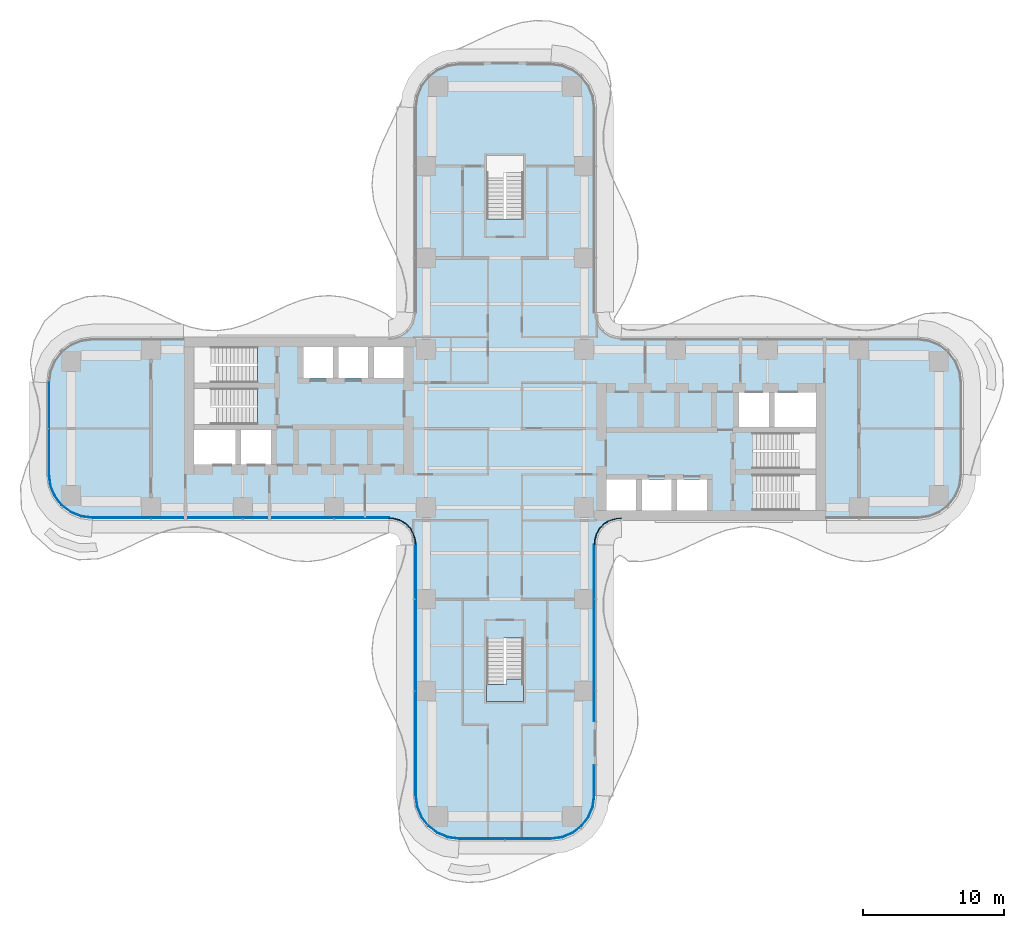
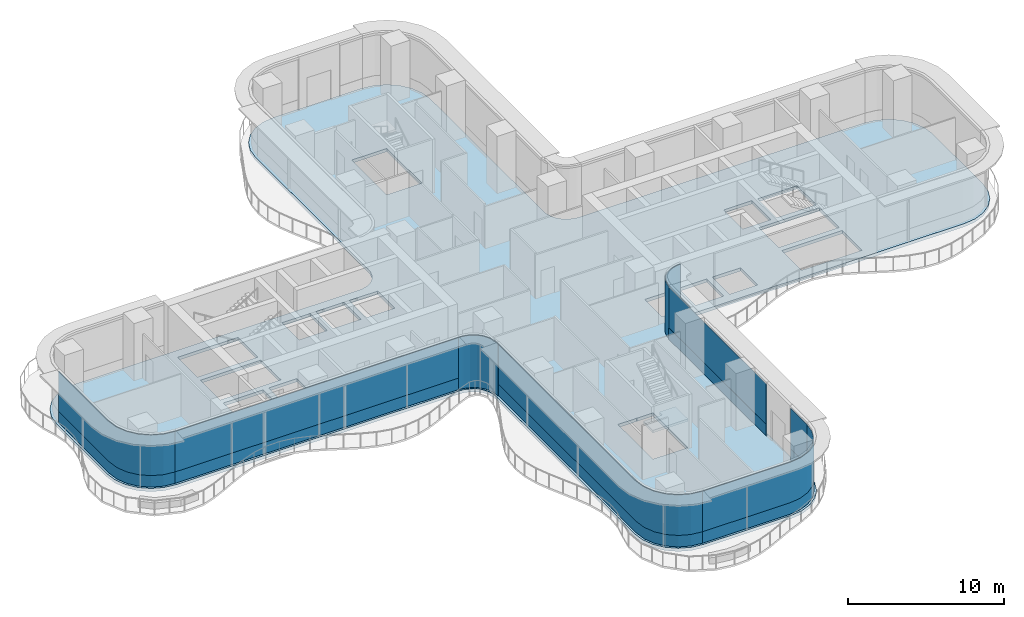
# One storey, part 14 of 22: 14 plates, 2 slabs, 9 elements without a shape of their own.
"""IFC4 building model written with IfcOpenShell, lengths in metres."""

from ifc_helpers import new_model, si_unit, direction, frame, origin, place, context, subcontext, project, spatial, polyline, outline, extrude, source, transform, mapped, material, layer, layer_set, type_object, element, aggregate, save


model = new_model("IFC4")

# Units and contexts
model_context = context("Model", 3, precision=1e-05, world=origin(), true_north=direction((0.0, 1.0)))
body_context = subcontext(model_context, "Body", "Model", "MODEL_VIEW")
ifc_project = project(units=[si_unit("LENGTHUNIT", "METRE"), si_unit("AREAUNIT", "SQUARE_METRE"), si_unit("VOLUMEUNIT", "CUBIC_METRE"), si_unit("PLANEANGLEUNIT", "RADIAN"), si_unit("MASSUNIT", "GRAM", prefix="KILO")], contexts=[model_context])

# Site, building, storey
site_placement = place(None, origin())
site = spatial("IfcSite", under=ifc_project, at=site_placement, CompositionType="ELEMENT")
building_placement = place(site_placement, origin())
building = spatial("IfcBuilding", under=site, at=building_placement, Name="Trellis Farm Tower", CompositionType="ELEMENT")
storey_placement = place(building_placement, frame((0.0, 0.0, 70.0)))
storey = spatial("IfcBuildingStorey", under=building, at=storey_placement, Name="L14", CompositionType="ELEMENT", Elevation=70.0)

# Slab
ifc_material_1 = material(Name="Concrete C40/50", Category="concrete")
ifc_layer_1 = layer(ifc_material_1, 0.25)
ifc_layer_set_1 = layer_set([ifc_layer_1], Name="Composite deck floor slab 250")
slab_type_1 = type_object("IfcSlabType", Name="Composite deck floor slab 250", PredefinedType="FLOOR", material=ifc_layer_set_1)
shared_shape_1 = source(origin(), body_context, "Body", "SweptSolid", [
    extrude(outline(polyline([(-30.09130859375, -6.389404296875), (-30.875, -6.064697265625), (-31.548095703125, -5.548095703125), (-32.064697265625, -4.875), (-32.389404296875, -4.09130859375), (-32.5, -3.25), (-32.5, 3.25), (-32.389404296875, 4.09130859375), (-32.064697265625, 4.875), (-31.548095703125, 5.548095703125), (-30.875, 6.064697265625), (-30.09130859375, 6.389404296875), (-29.25, 6.5), (-8.2314453125, 6.5), (-8.01953125, 6.513916015625), (-7.91552734375, 6.527587890625), (-7.508544921875, 6.63671875), (-7.144287109375, 6.846923828125), (-6.846923828125, 7.144287109375), (-6.63671875, 7.508544921875), (-6.527587890625, 7.91552734375), (-6.513916015625, 8.01953125), (-6.5, 8.2314453125), (-6.5, 22.75), (-6.389404296875, 23.59130859375), (-6.064697265625, 24.375), (-5.548095703125, 25.048095703125), (-4.875, 25.564697265625), (-4.09130859375, 25.889404296875), (-3.25, 26.0), (3.25, 26.0), (4.09130859375, 25.889404296875), (4.875, 25.564697265625), (5.548095703125, 25.048095703125), (6.064697265625, 24.375), (6.389404296875, 23.59130859375), (6.5, 22.75), (6.5, 8.2314453125), (6.513916015625, 8.01953125), (6.527587890625, 7.91552734375), (6.63671875, 7.508544921875), (6.846923828125, 7.144287109375), (7.144287109375, 6.846923828125), (7.508544921875, 6.63671875), (7.91552734375, 6.527587890625), (8.01953125, 6.513916015625), (8.2314453125, 6.5), (29.25, 6.5), (30.09130859375, 6.389404296875), (30.875, 6.064697265625), (31.548095703125, 5.548095703125), (32.064697265625, 4.875), (32.389404296875, 4.09130859375), (32.5, 3.25), (32.5, -3.25), (32.389404296875, -4.09130859375), (32.064697265625, -4.875), (31.548095703125, -5.548095703125), (30.875, -6.064697265625), (30.09130859375, -6.389404296875), (29.25, -6.5), (8.2314453125, -6.5), (8.01953125, -6.513916015625), (7.91552734375, -6.527587890625), (7.508544921875, -6.63671875), (7.144287109375, -6.846923828125), (6.846923828125, -7.144287109375), (6.63671875, -7.508544921875), (6.527587890625, -7.91552734375), (6.513916015625, -8.01953125), (6.5, -8.2314453125), (6.5, -26.0), (6.389404296875, -26.84130859375), (6.064697265625, -27.625), (5.548095703125, -28.298095703125), (4.875, -28.814697265625), (4.09130859375, -29.139404296875), (3.25, -29.25), (-3.25, -29.25), (-4.09130859375, -29.139404296875), (-4.875, -28.814697265625), (-5.548095703125, -28.298095703125), (-6.064697265625, -27.625), (-6.389404296875, -26.84130859375), (-6.5, -26.0), (-6.5, -8.2314453125), (-6.513916015625, -8.01953125), (-6.527587890625, -7.91552734375), (-6.63671875, -7.508544921875), (-6.846923828125, -7.144287109375), (-7.144287109375, -6.846923828125), (-7.508544921875, -6.63671875), (-7.91552734375, -6.527587890625), (-8.01953125, -6.513916015625), (-8.2314453125, -6.5), (-29.25, -6.5), (-30.09130859375, -6.389404296875)]), holes=[polyline([(-22.050048828125, -0.10009765625), (-22.050048828125, -2.550048828125), (-19.10009765625, -2.550048828125), (-19.10009765625, -0.10009765625), (-22.050048828125, -0.10009765625)]), polyline([(-18.699951171875, -0.10009765625), (-18.699951171875, -2.550048828125), (-16.60009765625, -2.550048828125), (-16.60009765625, -0.10009765625), (-18.699951171875, -0.10009765625)]), polyline([(-17.56201171875, 1.64990234375), (-17.56201171875, 2.85009765625), (-22.050048828125, 2.85009765625), (-22.050048828125, 0.300048828125), (-17.56005859375, 0.300048828125), (-17.56005859375, 1.5), (-17.550048828125, 1.5), (-17.550048828125, 1.64990234375), (-17.56201171875, 1.64990234375)]), polyline([(-17.56201171875, 4.60009765625), (-17.56201171875, 5.800048828125), (-22.050048828125, 5.800048828125), (-22.050048828125, 3.25), (-17.56005859375, 3.25), (-17.56005859375, 4.449951171875), (-17.550048828125, 4.449951171875), (-17.550048828125, 4.60009765625), (-17.56201171875, 4.60009765625)]), polyline([(-14.300048828125, 5.800048828125), (-14.300048828125, 3.60009765625), (-12.199951171875, 3.60009765625), (-12.199951171875, 5.800048828125), (-14.300048828125, 5.800048828125)]), polyline([(-11.800048828125, 5.800048828125), (-11.800048828125, 3.60009765625), (-9.699951171875, 3.60009765625), (-9.699951171875, 5.800048828125), (-11.800048828125, 5.800048828125)]), polyline([(-9.300048828125, 5.800048828125), (-9.300048828125, 3.60009765625), (-7.199951171875, 3.60009765625), (-7.199951171875, 5.800048828125), (-9.300048828125, 5.800048828125)]), polyline([(0.10009765625, 14.862060546875), (1.300048828125, 14.862060546875), (1.300048828125, 19.35009765625), (-1.300048828125, 19.35009765625), (-1.300048828125, 14.860107421875), (-0.10009765625, 14.860107421875), (-0.10009765625, 14.85009765625), (0.10009765625, 14.85009765625), (0.10009765625, 14.862060546875)]), polyline([(-0.10009765625, -14.862060546875), (-1.300048828125, -14.862060546875), (-1.300048828125, -19.35009765625), (1.300048828125, -19.35009765625), (1.300048828125, -14.860107421875), (0.10009765625, -14.860107421875), (0.10009765625, -14.85009765625), (-0.10009765625, -14.85009765625), (-0.10009765625, -14.862060546875)]), polyline([(9.300048828125, -5.800048828125), (9.300048828125, -3.60009765625), (7.199951171875, -3.60009765625), (7.199951171875, -5.800048828125), (9.300048828125, -5.800048828125)]), polyline([(11.800048828125, -5.800048828125), (11.800048828125, -3.60009765625), (9.699951171875, -3.60009765625), (9.699951171875, -5.800048828125), (11.800048828125, -5.800048828125)]), polyline([(14.300048828125, -5.800048828125), (14.300048828125, -3.60009765625), (12.199951171875, -3.60009765625), (12.199951171875, -5.800048828125), (14.300048828125, -5.800048828125)]), polyline([(17.56201171875, -4.60009765625), (17.56201171875, -5.800048828125), (22.050048828125, -5.800048828125), (22.050048828125, -3.25), (17.56005859375, -3.25), (17.56005859375, -4.449951171875), (17.550048828125, -4.449951171875), (17.550048828125, -4.60009765625), (17.56201171875, -4.60009765625)]), polyline([(17.56201171875, -1.64990234375), (17.56201171875, -2.85009765625), (22.050048828125, -2.85009765625), (22.050048828125, -0.300048828125), (17.56005859375, -0.300048828125), (17.56005859375, -1.5), (17.550048828125, -1.5), (17.550048828125, -1.64990234375), (17.56201171875, -1.64990234375)]), polyline([(18.699951171875, 0.10009765625), (18.699951171875, 2.550048828125), (16.60009765625, 2.550048828125), (16.60009765625, 0.10009765625), (18.699951171875, 0.10009765625)]), polyline([(22.050048828125, 0.10009765625), (22.050048828125, 2.550048828125), (19.10009765625, 2.550048828125), (19.10009765625, 0.10009765625), (22.050048828125, 0.10009765625)])]), origin(), (0.0, 0.0, 1.0), 0.25),
])
slab_1_placement = place(storey_placement, frame((0.0, 0.0, -0.25)))
element("IfcSlab", 1, at=slab_1_placement, inside=storey, type_object=slab_type_1, Name="Floor slab", PredefinedType="FLOOR", context=body_context, shape_type="MappedRepresentation", body=[
    mapped(shared_shape_1, transform((0.0, 0.0, 0.0))),
])

# Stair, slab
ifc_material_2 = material(Name="Concrete C50/60", Category="concrete")
stair_type = type_object("IfcStairType", Name="CORE EXIT STAIR 26 RISERS 173 MM", PredefinedType="HALF_TURN_STAIR", material=ifc_material_2)
placement_1 = place(storey_placement, origin())
stair = element("IfcStair", 2, at=placement_1, inside=storey, type_object=stair_type, Name="Exit stair S", PredefinedType="HALF_TURN_STAIR")
ifc_layer_2 = layer(ifc_material_2, 0.18994140625)
ifc_layer_set_2 = layer_set([ifc_layer_2], Name="CORE STAIR LANDING 190 CONCRETE C50/60")
slab_type_2 = type_object("IfcSlabType", Name="CORE STAIR LANDING 190 CONCRETE C50/60", PredefinedType="LANDING", material=ifc_layer_set_2)
shared_shape_2 = source(origin(), body_context, "Body", "SweptSolid", [
    extrude(outline(polyline([(1.300048828125, -19.35009765625), (-1.300048828125, -19.35009765625), (-1.300048828125, -18.14990234375), (-1.300048828125, -18.139892578125), (-0.10009765625, -18.139892578125), (-0.10009765625, -18.14990234375), (0.10009765625, -18.14990234375), (0.10009765625, -17.753173828125), (1.300048828125, -17.753173828125), (1.300048828125, -18.14990234375), (1.300048828125, -19.35009765625)])), origin(), (0.0, 0.0, 1.0), 0.18994140625),
])
slab_2_placement = place(storey_placement, frame((0.0, 0.0, 2.06005859375)))
slab_2 = element("IfcSlab", 3, at=slab_2_placement, type_object=slab_type_2, Name="STS landing 1", PredefinedType="LANDING", context=body_context, shape_type="MappedRepresentation", body=[
    mapped(shared_shape_2, transform((0.0, 0.0, 0.0))),
])
aggregate(stair, [slab_2])

# Curtain wall, plates
ifc_material_3 = material(Name="Aluminium and glass curtain wall", Category="aluminium")
ifc_layer_3 = layer(ifc_material_3, 0.18994140625)
ifc_layer_set_3 = layer_set([ifc_layer_3], Name="RIBBON CURTAIN WALL CW1")
curtain_wall_type_1 = type_object("IfcCurtainWallType", Name="RIBBON CURTAIN WALL CW1", PredefinedType="NOTDEFINED", material=ifc_layer_set_3)
curtain_wall_1 = element("IfcCurtainWall", 4, at=placement_1, inside=storey, type_object=curtain_wall_type_1, Name="CW1 001", PredefinedType="NOTDEFINED")
ifc_material_4 = material(Name="Clear insulated glass", Category="glass")
ifc_layer_4 = layer(ifc_material_4, 0.0400390625)
ifc_layer_set_4 = layer_set([ifc_layer_4], Name="CW1 GLASS PANEL 40")
plate_type_1 = type_object("IfcPlateType", Name="CW1 GLASS PANEL 40", PredefinedType="CURTAIN_PANEL", material=ifc_layer_set_4)
shared_shape_3 = source(origin(), body_context, "Body", "SweptSolid", [
    extrude(outline(polyline([(-29.240234375, -6.35009765625), (-8.2265625, -6.35009765625), (-8.22509765625, -6.31005859375), (-29.237548828125, -6.31005859375), (-29.240234375, -6.35009765625)])), origin(), (0.0, 0.0, 1.0), 3.170166015625),
])
placement_2 = place(storey_placement, frame((0.0, 0.0, 0.89990234375)))
plate_1 = element("IfcPlate", 5, at=placement_2, type_object=plate_type_1, Name="PL1 001", PredefinedType="CURTAIN_PANEL", context=body_context, shape_type="MappedRepresentation", body=[
    mapped(shared_shape_3, transform((0.0, 0.0, 0.0))),
])
ifc_material_5 = material(Name="Sandstone faced insulated panel", Category="masonry")
ifc_layer_5 = layer(ifc_material_5, 0.050048828125)
ifc_layer_set_5 = layer_set([ifc_layer_5], Name="CW1 STONE SPANDREL PANEL 50")
plate_type_2 = type_object("IfcPlateType", Name="CW1 STONE SPANDREL PANEL 50", PredefinedType="CURTAIN_PANEL", material=ifc_layer_set_5)
shared_shape_4 = source(origin(), body_context, "Body", "SweptSolid", [
    extrude(outline(polyline([(-29.240234375, -6.35009765625), (-8.2265625, -6.35009765625), (-8.224853515625, -6.300048828125), (-29.23681640625, -6.300048828125), (-29.240234375, -6.35009765625)])), origin(), (0.0, 0.0, 1.0), 0.89990234375),
])
plate_2 = element("IfcPlate", 6, at=placement_1, type_object=plate_type_2, Name="PS1 001", PredefinedType="CURTAIN_PANEL", context=body_context, shape_type="MappedRepresentation", body=[
    mapped(shared_shape_4, transform((0.0, 0.0, 0.0))),
])
aggregate(curtain_wall_1, [plate_1, plate_2])

# Curtain wall, plate
ifc_layer_6 = layer(ifc_material_3, 0.166015625)
ifc_layer_set_6 = layer_set([ifc_layer_6], Name="WINTER GARDEN CURTAIN WALL CW3")
curtain_wall_type_2 = type_object("IfcCurtainWallType", Name="WINTER GARDEN CURTAIN WALL CW3", PredefinedType="NOTDEFINED", material=ifc_layer_set_6)
curtain_wall_2 = element("IfcCurtainWall", 7, at=placement_1, inside=storey, type_object=curtain_wall_type_2, Name="CW3 001", PredefinedType="NOTDEFINED")
ifc_layer_7 = layer(ifc_material_4, 0.0458984375)
ifc_layer_set_7 = layer_set([ifc_layer_7], Name="CW3 GLASS PANEL 46")
plate_type_3 = type_object("IfcPlateType", Name="CW3 GLASS PANEL 46", PredefinedType="CURTAIN_PANEL", material=ifc_layer_set_7)
shared_shape_5 = source(origin(), body_context, "Body", "SweptSolid", [
    extrude(outline(polyline([(-8.2275390625, -6.3798828125), (-8.0078125, -6.394287109375), (-7.89208984375, -6.40966796875), (-7.462158203125, -6.52490234375), (-7.070556640625, -6.7509765625), (-6.7509765625, -7.070556640625), (-6.52490234375, -7.462158203125), (-6.40966796875, -7.89208984375), (-6.394287109375, -8.0078125), (-6.3798828125, -8.2275390625), (-6.333984375, -8.22607421875), (-6.3486328125, -8.003173828125), (-6.364501953125, -7.883056640625), (-6.48193359375, -7.4443359375), (-6.714111328125, -7.04248046875), (-7.04248046875, -6.714111328125), (-7.4443359375, -6.48193359375), (-7.883056640625, -6.364501953125), (-8.003173828125, -6.3486328125), (-8.22607421875, -6.333984375), (-8.2275390625, -6.3798828125)])), origin(), (0.0, 0.0, 1.0), 4.10009765625),
])
plate_3 = element("IfcPlate", 8, at=placement_1, type_object=plate_type_3, Name="PL3 001", PredefinedType="CURTAIN_PANEL", context=body_context, shape_type="MappedRepresentation", body=[
    mapped(shared_shape_5, transform((0.0, 0.0, 0.0))),
])
aggregate(curtain_wall_2, [plate_3])

# Curtain wall, plates
curtain_wall_3 = element("IfcCurtainWall", 9, at=placement_1, inside=storey, type_object=curtain_wall_type_1, Name="CW1 003", PredefinedType="NOTDEFINED")
shared_shape_6 = source(origin(), body_context, "Body", "SweptSolid", [
    extrude(outline(polyline([(-3.240234375, -29.10009765625), (3.240234375, -29.10009765625), (4.052001953125, -28.9931640625), (4.79931640625, -28.68359375), (5.441162109375, -28.191162109375), (5.93359375, -27.54931640625), (6.2431640625, -26.802001953125), (6.35009765625, -25.990234375), (6.31005859375, -25.987548828125), (6.2041015625, -26.79150390625), (5.898681640625, -27.529296875), (5.41259765625, -28.16259765625), (4.779296875, -28.648681640625), (4.04150390625, -28.9541015625), (3.237548828125, -29.06005859375), (-3.237548828125, -29.06005859375), (-3.240234375, -29.10009765625)])), origin(), (0.0, 0.0, 1.0), 3.170166015625),
])
plate_4 = element("IfcPlate", 10, at=placement_2, type_object=plate_type_1, Name="PL1 003", PredefinedType="CURTAIN_PANEL", context=body_context, shape_type="MappedRepresentation", body=[
    mapped(shared_shape_6, transform((0.0, 0.0, 0.0))),
])
shared_shape_7 = source(origin(), body_context, "Body", "SweptSolid", [
    extrude(outline(polyline([(-3.240234375, -29.10009765625), (3.240234375, -29.10009765625), (4.052001953125, -28.9931640625), (4.79931640625, -28.68359375), (5.441162109375, -28.191162109375), (5.93359375, -27.54931640625), (6.2431640625, -26.802001953125), (6.35009765625, -25.990234375), (6.300048828125, -25.98681640625), (6.1943359375, -26.7890625), (5.889892578125, -27.524169921875), (5.405517578125, -28.155517578125), (4.774169921875, -28.639892578125), (4.0390625, -28.9443359375), (3.23681640625, -29.050048828125), (-3.23681640625, -29.050048828125), (-3.240234375, -29.10009765625)])), origin(), (0.0, 0.0, 1.0), 0.89990234375),
])
plate_5 = element("IfcPlate", 11, at=placement_1, type_object=plate_type_2, Name="PS1 003", PredefinedType="CURTAIN_PANEL", context=body_context, shape_type="MappedRepresentation", body=[
    mapped(shared_shape_7, transform((0.0, 0.0, 0.0))),
])
aggregate(curtain_wall_3, [plate_4, plate_5])

# Curtain wall, plate
curtain_wall_4 = element("IfcCurtainWall", 12, at=placement_1, inside=storey, type_object=curtain_wall_type_2, Name="CW3 002", PredefinedType="NOTDEFINED")
shared_shape_8 = source(origin(), body_context, "Body", "SweptSolid", [
    extrude(outline(polyline([(6.3798828125, -8.2275390625), (6.394287109375, -8.0078125), (6.40966796875, -7.89208984375), (6.52490234375, -7.462158203125), (6.7509765625, -7.070556640625), (7.070556640625, -6.7509765625), (7.462158203125, -6.52490234375), (7.89208984375, -6.40966796875), (8.0078125, -6.394287109375), (8.2275390625, -6.3798828125), (8.22607421875, -6.333984375), (8.003173828125, -6.3486328125), (7.883056640625, -6.364501953125), (7.4443359375, -6.48193359375), (7.04248046875, -6.714111328125), (6.714111328125, -7.04248046875), (6.48193359375, -7.4443359375), (6.364501953125, -7.883056640625), (6.3486328125, -8.003173828125), (6.333984375, -8.22607421875), (6.3798828125, -8.2275390625)])), origin(), (0.0, 0.0, 1.0), 4.10009765625),
])
plate_6 = element("IfcPlate", 13, at=placement_1, type_object=plate_type_3, Name="PL3 002", PredefinedType="CURTAIN_PANEL", context=body_context, shape_type="MappedRepresentation", body=[
    mapped(shared_shape_8, transform((0.0, 0.0, 0.0))),
])
aggregate(curtain_wall_4, [plate_6])

# Curtain wall, plates
curtain_wall_5 = element("IfcCurtainWall", 14, at=placement_1, inside=storey, type_object=curtain_wall_type_1, Name="CW1 002", PredefinedType="NOTDEFINED")
shared_shape_9 = source(origin(), body_context, "Body", "SweptSolid", [
    extrude(outline(polyline([(-6.35009765625, -8.2265625), (-6.35009765625, -25.990234375), (-6.2431640625, -26.802001953125), (-5.93359375, -27.54931640625), (-5.441162109375, -28.191162109375), (-4.79931640625, -28.68359375), (-4.052001953125, -28.9931640625), (-3.240234375, -29.10009765625), (-3.237548828125, -29.06005859375), (-4.04150390625, -28.9541015625), (-4.779296875, -28.648681640625), (-5.41259765625, -28.16259765625), (-5.898681640625, -27.529296875), (-6.2041015625, -26.79150390625), (-6.31005859375, -25.987548828125), (-6.31005859375, -8.22509765625), (-6.35009765625, -8.2265625)])), origin(), (0.0, 0.0, 1.0), 3.170166015625),
])
plate_7 = element("IfcPlate", 15, at=placement_2, type_object=plate_type_1, Name="PL1 002", PredefinedType="CURTAIN_PANEL", context=body_context, shape_type="MappedRepresentation", body=[
    mapped(shared_shape_9, transform((0.0, 0.0, 0.0))),
])
shared_shape_10 = source(origin(), body_context, "Body", "SweptSolid", [
    extrude(outline(polyline([(-6.35009765625, -8.2265625), (-6.35009765625, -25.990234375), (-6.2431640625, -26.802001953125), (-5.93359375, -27.54931640625), (-5.441162109375, -28.191162109375), (-4.79931640625, -28.68359375), (-4.052001953125, -28.9931640625), (-3.240234375, -29.10009765625), (-3.23681640625, -29.050048828125), (-4.0390625, -28.9443359375), (-4.774169921875, -28.639892578125), (-5.405517578125, -28.155517578125), (-5.889892578125, -27.524169921875), (-6.1943359375, -26.7890625), (-6.300048828125, -25.98681640625), (-6.300048828125, -8.224853515625), (-6.35009765625, -8.2265625)])), origin(), (0.0, 0.0, 1.0), 0.89990234375),
])
plate_8 = element("IfcPlate", 16, at=placement_1, type_object=plate_type_2, Name="PS1 002", PredefinedType="CURTAIN_PANEL", context=body_context, shape_type="MappedRepresentation", body=[
    mapped(shared_shape_10, transform((0.0, 0.0, 0.0))),
])
aggregate(curtain_wall_5, [plate_7, plate_8])

curtain_wall_6 = element("IfcCurtainWall", 17, at=placement_1, inside=storey, type_object=curtain_wall_type_1, Name="CW1 014", PredefinedType="NOTDEFINED")
shared_shape_11 = source(origin(), body_context, "Body", "SweptSolid", [
    extrude(outline(polyline([(-32.35009765625, 3.240234375), (-32.35009765625, -3.240234375), (-32.2431640625, -4.052001953125), (-31.93359375, -4.79931640625), (-31.441162109375, -5.441162109375), (-30.79931640625, -5.93359375), (-30.052001953125, -6.2431640625), (-29.240234375, -6.35009765625), (-29.237548828125, -6.31005859375), (-30.04150390625, -6.2041015625), (-30.779296875, -5.898681640625), (-31.41259765625, -5.41259765625), (-31.898681640625, -4.779296875), (-32.2041015625, -4.04150390625), (-32.31005859375, -3.237548828125), (-32.31005859375, 3.237548828125), (-32.35009765625, 3.240234375)])), origin(), (0.0, 0.0, 1.0), 3.170166015625),
])
plate_9 = element("IfcPlate", 18, at=placement_2, type_object=plate_type_1, Name="PL1 014", PredefinedType="CURTAIN_PANEL", context=body_context, shape_type="MappedRepresentation", body=[
    mapped(shared_shape_11, transform((0.0, 0.0, 0.0))),
])
shared_shape_12 = source(origin(), body_context, "Body", "SweptSolid", [
    extrude(outline(polyline([(-32.35009765625, 3.240234375), (-32.35009765625, -3.240234375), (-32.2431640625, -4.052001953125), (-31.93359375, -4.79931640625), (-31.441162109375, -5.441162109375), (-30.79931640625, -5.93359375), (-30.052001953125, -6.2431640625), (-29.240234375, -6.35009765625), (-29.23681640625, -6.300048828125), (-30.0390625, -6.1943359375), (-30.774169921875, -5.889892578125), (-31.405517578125, -5.405517578125), (-31.889892578125, -4.774169921875), (-32.1943359375, -4.0390625), (-32.300048828125, -3.23681640625), (-32.300048828125, 3.23681640625), (-32.35009765625, 3.240234375)])), origin(), (0.0, 0.0, 1.0), 0.89990234375),
])
plate_10 = element("IfcPlate", 19, at=placement_1, type_object=plate_type_2, Name="PS1 014", PredefinedType="CURTAIN_PANEL", context=body_context, shape_type="MappedRepresentation", body=[
    mapped(shared_shape_12, transform((0.0, 0.0, 0.0))),
])
aggregate(curtain_wall_6, [plate_9, plate_10])

curtain_wall_7 = element("IfcCurtainWall", 20, at=placement_1, inside=storey, type_object=curtain_wall_type_1, Name="CW1 004", PredefinedType="NOTDEFINED")
shared_shape_13 = source(origin(), body_context, "Body", "SweptSolid", [
    extrude(outline(polyline([(6.35009765625, -25.990234375), (6.35009765625, -23.860107421875), (6.31005859375, -23.860107421875), (6.31005859375, -25.987548828125), (6.35009765625, -25.990234375)])), origin(), (0.0, 0.0, 1.0), 3.170166015625),
])
plate_11 = element("IfcPlate", 21, at=placement_2, type_object=plate_type_1, Name="PL1 004", PredefinedType="CURTAIN_PANEL", context=body_context, shape_type="MappedRepresentation", body=[
    mapped(shared_shape_13, transform((0.0, 0.0, 0.0))),
])
shared_shape_14 = source(origin(), body_context, "Body", "SweptSolid", [
    extrude(outline(polyline([(6.35009765625, -25.990234375), (6.35009765625, -23.860107421875), (6.300048828125, -23.860107421875), (6.300048828125, -25.98681640625), (6.35009765625, -25.990234375)])), origin(), (0.0, 0.0, 1.0), 0.89990234375),
])
plate_12 = element("IfcPlate", 22, at=placement_1, type_object=plate_type_2, Name="PS1 004", PredefinedType="CURTAIN_PANEL", context=body_context, shape_type="MappedRepresentation", body=[
    mapped(shared_shape_14, transform((0.0, 0.0, 0.0))),
])
aggregate(curtain_wall_7, [plate_11, plate_12])

curtain_wall_8 = element("IfcCurtainWall", 23, at=placement_1, inside=storey, type_object=curtain_wall_type_1, Name="CW1 005", PredefinedType="NOTDEFINED")
shared_shape_15 = source(origin(), body_context, "Body", "SweptSolid", [
    extrude(outline(polyline([(6.35009765625, -20.739990234375), (6.35009765625, -8.2265625), (6.31005859375, -8.22509765625), (6.31005859375, -20.739990234375), (6.35009765625, -20.739990234375)])), origin(), (0.0, 0.0, 1.0), 3.170166015625),
])
plate_13 = element("IfcPlate", 24, at=placement_2, type_object=plate_type_1, Name="PL1 005", PredefinedType="CURTAIN_PANEL", context=body_context, shape_type="MappedRepresentation", body=[
    mapped(shared_shape_15, transform((0.0, 0.0, 0.0))),
])
shared_shape_16 = source(origin(), body_context, "Body", "SweptSolid", [
    extrude(outline(polyline([(6.35009765625, -20.739990234375), (6.35009765625, -8.2265625), (6.300048828125, -8.224853515625), (6.300048828125, -20.739990234375), (6.35009765625, -20.739990234375)])), origin(), (0.0, 0.0, 1.0), 0.89990234375),
])
plate_14 = element("IfcPlate", 25, at=placement_1, type_object=plate_type_2, Name="PS1 005", PredefinedType="CURTAIN_PANEL", context=body_context, shape_type="MappedRepresentation", body=[
    mapped(shared_shape_16, transform((0.0, 0.0, 0.0))),
])
aggregate(curtain_wall_8, [plate_13, plate_14])

save(model, "model.ifc")
